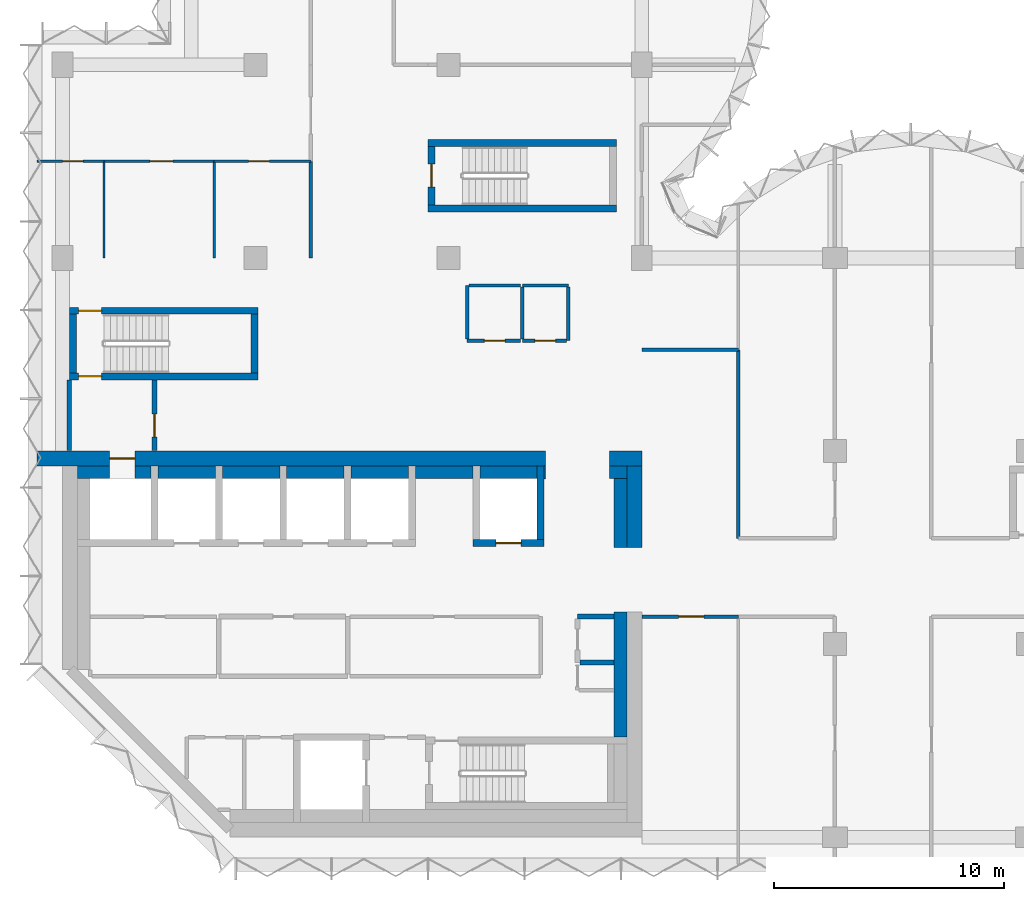
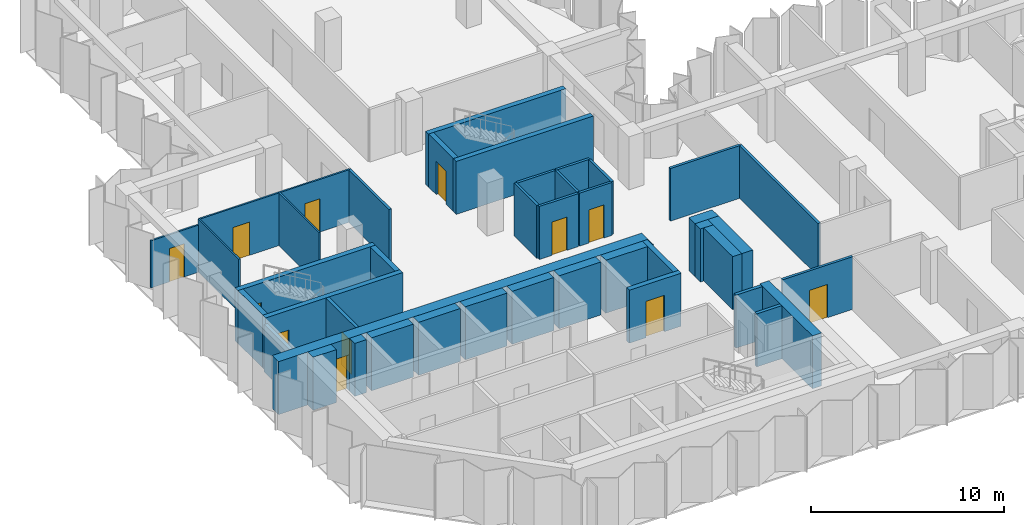
# One storey, part 6 of 10: 44 walls, 12 doors, 12 openings.
"""IFC4 building model written with IfcOpenShell, lengths in metres."""

from ifc_helpers import new_model, si_unit, direction, frame, frame_2d, origin, place, context, subcontext, project, spatial, rectangle, extrude, material, layer, layer_set, type_object, element, fill, save


model = new_model("IFC4")

# Units and contexts
model_context = context("Model", 3, precision=1e-05, world=origin(), true_north=direction((0.0, 1.0)))
body_context = subcontext(model_context, "Body", "Model", "MODEL_VIEW")
ifc_project = project(units=[si_unit("LENGTHUNIT", "METRE"), si_unit("AREAUNIT", "SQUARE_METRE"), si_unit("VOLUMEUNIT", "CUBIC_METRE"), si_unit("PLANEANGLEUNIT", "RADIAN"), si_unit("MASSUNIT", "GRAM", prefix="KILO")], contexts=[model_context])

# Site, building, storey
site_placement = place(None, origin())
site = spatial("IfcSite", under=ifc_project, at=site_placement, CompositionType="ELEMENT")
building_placement = place(site_placement, origin())
building = spatial("IfcBuilding", under=site, at=building_placement, Name="Brevane Broadcast Tower", CompositionType="ELEMENT")
storey_placement = place(building_placement, frame((0.0, 0.0, 174.0)))
storey = spatial("IfcBuildingStorey", under=building, at=storey_placement, Name="L43", CompositionType="ELEMENT", Elevation=174.0)

# Walls
ifc_material_1 = material(Name="Concrete C32/40", Category="concrete")
ifc_layer_1 = layer(ifc_material_1, 0.550048828125)
ifc_layer_set_1 = layer_set([ifc_layer_1], Name="Core chase wall 550 mm")
wall_type_1 = type_object("IfcWallType", Name="Core chase wall 550 mm", PredefinedType="PARTITIONING", material=ifc_layer_set_1)
wall_1_placement = place(storey_placement, frame((24.27490234375, 12.60009765625, 0.0), z_axis=(0.0, 0.0, 1.0), x_axis=(0.0, 1.0, 0.0)))
element("IfcWall", 1, at=wall_1_placement, inside=storey, type_object=wall_type_1, Name="L43 chase wall LE2", PredefinedType="PARTITIONING", context=body_context, shape_type="SweptSolid", body=[
    extrude(rectangle(XDim=3.0, YDim=0.550048828125, at=frame_2d((1.5, 0.0))), origin(), (0.0, 0.0, 1.0), 3.35009765625),
])
wall_2_placement = place(storey_placement, frame((0.64990234375, 15.875, 0.0), z_axis=(0.0, 0.0, 1.0), x_axis=(1.0, 0.0, 0.0)))
element("IfcWall", 2, at=wall_2_placement, inside=storey, type_object=wall_type_1, Name="L43 chase wall LN0", PredefinedType="PARTITIONING", context=body_context, shape_type="SweptSolid", body=[
    extrude(rectangle(XDim=1.400146484375, YDim=0.550048828125, at=frame_2d((0.7001953125, 0.0))), origin(), (0.0, 0.0, 1.0), 3.35009765625),
])
wall_3_placement = place(storey_placement, frame((23.800048828125, 15.875, 0.0), z_axis=(0.0, 0.0, 1.0), x_axis=(1.0, 0.0, 0.0)))
element("IfcWall", 3, at=wall_3_placement, inside=storey, type_object=wall_type_1, Name="L43 chase wall LN2", PredefinedType="PARTITIONING", context=body_context, shape_type="SweptSolid", body=[
    extrude(rectangle(XDim=0.75, YDim=0.550048828125, at=frame_2d((0.375, 0.0))), origin(), (0.0, 0.0, 1.0), 3.35009765625),
])
wall_4_placement = place(storey_placement, frame((3.14990234375, 15.875, 0.0), z_axis=(0.0, 0.0, 1.0), x_axis=(1.0, 0.0, 0.0)))
element("IfcWall", 4, at=wall_4_placement, inside=storey, type_object=wall_type_1, Name="L43 chase wall LN1-1", PredefinedType="PARTITIONING", context=body_context, shape_type="SweptSolid", body=[
    extrude(rectangle(XDim=0.7001953125, YDim=0.550048828125, at=frame_2d((0.35009765625, 0.0))), origin(), (0.0, 0.0, 1.0), 3.35009765625),
])
for number, where, z_axis, x_axis, name in (
    (5, (4.14990234375, 15.875, 0.0), (0.0, 0.0, 1.0), (1.0, 0.0, 0.0), "L43 chase wall LN1-2-1"),
    (6, (6.949951171875, 15.875, 0.0), (0.0, 0.0, 1.0), (1.0, 0.0, 0.0), "L43 chase wall LN1-2-2-1"),
    (7, (9.75, 15.875, 0.0), (0.0, 0.0, 1.0), (1.0, 0.0, 0.0), "L43 chase wall LN1-2-2-2-1"),
    (8, (12.550048828125, 15.875, 0.0), (0.0, 0.0, 1.0), (1.0, 0.0, 0.0), "L43 chase wall LN1-2-2-2-2-1"),
    (9, (15.35009765625, 15.875, 0.0), (0.0, 0.0, 1.0), (1.0, 0.0, 0.0), "L43 chase wall LN1-2-2-2-2-2-1"),
    (10, (18.14990234375, 15.875, 0.0), (0.0, 0.0, 1.0), (1.0, 0.0, 0.0), "L43 chase wall LN1-2-2-2-2-2-2-1"),
):
    element("IfcWall", number, at=place(storey_placement, frame(where, z_axis=z_axis, x_axis=x_axis)), inside=storey, type_object=wall_type_1, Name=name, PredefinedType="PARTITIONING", context=body_context, shape_type="SweptSolid", body=[
        extrude(rectangle(XDim=2.5, YDim=0.550048828125, at=frame_2d((1.25, 0.0))), origin(), (0.0, 0.0, 1.0), 3.35009765625),
    ])
wall_5_placement = place(storey_placement, frame((20.949951171875, 15.875, 0.0), z_axis=(0.0, 0.0, 1.0), x_axis=(1.0, 0.0, 0.0)))
element("IfcWall", 11, at=wall_5_placement, inside=storey, type_object=wall_type_1, Name="L43 chase wall LN1-2-2-2-2-2-2-2", PredefinedType="PARTITIONING", context=body_context, shape_type="SweptSolid", body=[
    extrude(rectangle(XDim=0.050048828125, YDim=0.550048828125, at=frame_2d((0.02490234375, 0.0))), origin(), (0.0, 0.0, 1.0), 3.35009765625),
])
wall_6_placement = place(storey_placement, frame((24.27490234375, 4.35009765625, 0.0), z_axis=(0.0, 0.0, 1.0), x_axis=(0.0, 1.0, 0.0)))
element("IfcWall", 12, at=wall_6_placement, inside=storey, type_object=wall_type_1, Name="L43 chase wall LE1-2-2", PredefinedType="PARTITIONING", context=body_context, shape_type="SweptSolid", body=[
    extrude(rectangle(XDim=5.449951171875, YDim=0.550048828125, at=frame_2d((2.72509765625, 0.0))), origin(), (0.0, 0.0, 1.0), 3.35009765625),
])
ifc_material_2 = material(Name="Gypsum board on steel studs", Category="steel")
ifc_layer_2 = layer(ifc_material_2, 0.14990234375)
ifc_layer_set_2 = layer_set([ifc_layer_2], Name="Core fire partition 150 mm")
wall_type_2 = type_object("IfcWallType", Name="Core fire partition 150 mm", PredefinedType="PARTITIONING", material=ifc_layer_set_2)
wall_7_placement = place(storey_placement, frame((20.0, 24.0, 0.0), z_axis=(0.0, 0.0, 1.0), x_axis=(1.0, 0.0, 0.0)))
element("IfcWall", 13, at=wall_7_placement, inside=storey, type_object=wall_type_2, Name="L43 partition wall P22", PredefinedType="PARTITIONING", context=body_context, shape_type="SweptSolid", body=[
    extrude(rectangle(XDim=2.0, YDim=0.14990234375, at=frame_2d((1.0, 0.0))), origin(), (0.0, 0.0, 1.0), 3.35009765625),
])
wall_8_placement = place(storey_placement, frame((22.0, 23.925048828125, 0.0), z_axis=(0.0, 0.0, 1.0), x_axis=(0.0, -1.0, 0.0)))
element("IfcWall", 14, at=wall_8_placement, inside=storey, type_object=wall_type_2, Name="L43 partition wall P23", PredefinedType="PARTITIONING", context=body_context, shape_type="SweptSolid", body=[
    extrude(rectangle(XDim=2.324951171875, YDim=0.14990234375, at=frame_2d((1.16259765625, 0.0))), origin(), (0.0, 0.0, 1.0), 3.35009765625),
])

# Wall, opening, door
wall_9_placement = place(storey_placement, frame((21.925048828125, 21.60009765625, 0.0), z_axis=(0.0, 0.0, 1.0), x_axis=(-1.0, 0.0, 0.0)))
wall_9 = element("IfcWall", 15, at=wall_9_placement, inside=storey, type_object=wall_type_2, Name="L43 partition wall P24", PredefinedType="PARTITIONING", context=body_context, shape_type="SweptSolid", body=[
    extrude(rectangle(XDim=1.925048828125, YDim=0.14990234375, at=frame_2d((0.96240234375, 0.0))), origin(), (0.0, 0.0, 1.0), 3.35009765625),
])
opening_1_placement = place(wall_9_placement, frame((0.47509765625, 0.0, 0.0)))
opening_1 = element("IfcOpeningElement", 16, at=opening_1_placement, cuts=wall_9, Name="Opening L43-K23", PredefinedType="OPENING", context=body_context, shape_type="SweptSolid", body=[
    extrude(rectangle(XDim=0.89990234375, YDim=2.10009765625, at=frame_2d((0.449951171875, 1.050048828125))), frame((0.0, 0.0849609375, 0.0), z_axis=(0.0, -1.0, 0.0), x_axis=(1.0, 0.0, 0.0)), (0.0, 0.0, 1.0), 0.169921875),
])
ifc_material_3 = material(Name="Timber", Category="wood")
door_type_1 = type_object("IfcDoorType", Name="Toilet door 900 x 2100", OperationType="SINGLE_SWING_LEFT", PredefinedType="DOOR", material=ifc_material_3)
door_1_placement = place(opening_1_placement, origin())
door_1 = element("IfcDoor", 17, at=door_1_placement, inside=storey, type_object=door_type_1, Name="Door L43-K23", OperationType="SINGLE_SWING_LEFT", OverallHeight=2.10009765625, OverallWidth=0.89990234375, PredefinedType="DOOR", context=body_context, shape_type="SweptSolid", body=[
    extrude(rectangle(XDim=0.89990234375, YDim=2.10009765625, at=frame_2d((0.449951171875, 1.050048828125))), frame((0.0, 0.02490234375, 0.0), z_axis=(0.0, -1.0, 0.0), x_axis=(1.0, 0.0, 0.0)), (0.0, 0.0, 1.0), 0.050048828125),
])
fill(opening_1, door_1)

# Wall
wall_10_placement = place(storey_placement, frame((20.0, 21.675048828125, 0.0), z_axis=(0.0, 0.0, 1.0), x_axis=(0.0, 1.0, 0.0)))
element("IfcWall", 18, at=wall_10_placement, inside=storey, type_object=wall_type_2, Name="L43 partition wall P25", PredefinedType="PARTITIONING", context=body_context, shape_type="SweptSolid", body=[
    extrude(rectangle(XDim=2.25, YDim=0.14990234375, at=frame_2d((1.125, 0.0))), origin(), (0.0, 0.0, 1.0), 3.35009765625),
])

# Wall, opening, door
wall_11_placement = place(storey_placement, frame((19.925048828125, 21.60009765625, 0.0), z_axis=(0.0, 0.0, 1.0), x_axis=(-1.0, 0.0, 0.0)))
wall_11 = element("IfcWall", 19, at=wall_11_placement, inside=storey, type_object=wall_type_2, Name="L43 partition wall P26", PredefinedType="PARTITIONING", context=body_context, shape_type="SweptSolid", body=[
    extrude(rectangle(XDim=2.324951171875, YDim=0.14990234375, at=frame_2d((1.16259765625, 0.0))), origin(), (0.0, 0.0, 1.0), 3.35009765625),
])
opening_2_placement = place(wall_11_placement, frame((0.675048828125, 0.0, 0.0)))
opening_2 = element("IfcOpeningElement", 20, at=opening_2_placement, cuts=wall_11, Name="Opening L43-K24", PredefinedType="OPENING", context=body_context, shape_type="SweptSolid", body=[
    extrude(rectangle(XDim=0.89990234375, YDim=2.10009765625, at=frame_2d((0.449951171875, 1.050048828125))), frame((0.0, 0.0849609375, 0.0), z_axis=(0.0, -1.0, 0.0), x_axis=(1.0, 0.0, 0.0)), (0.0, 0.0, 1.0), 0.169921875),
])
ifc_material_4 = material(Name="Steel", Category="steel")
door_type_2 = type_object("IfcDoorType", Name="Service room door 900 x 2100", OperationType="SINGLE_SWING_LEFT", PredefinedType="DOOR", material=ifc_material_4)
door_2_placement = place(opening_2_placement, origin())
door_2 = element("IfcDoor", 21, at=door_2_placement, inside=storey, type_object=door_type_2, Name="Door L43-K24", OperationType="SINGLE_SWING_RIGHT", OverallHeight=2.10009765625, OverallWidth=0.89990234375, PredefinedType="DOOR", context=body_context, shape_type="SweptSolid", body=[
    extrude(rectangle(XDim=0.89990234375, YDim=2.10009765625, at=frame_2d((0.449951171875, 1.050048828125))), frame((0.0, 0.02490234375, 0.0), z_axis=(0.0, -1.0, 0.0), x_axis=(1.0, 0.0, 0.0)), (0.0, 0.0, 1.0), 0.050048828125),
])
fill(opening_2, door_2)

# Walls
wall_12_placement = place(storey_placement, frame((17.60009765625, 21.675048828125, 0.0), z_axis=(0.0, 0.0, 1.0), x_axis=(0.0, 1.0, 0.0)))
element("IfcWall", 22, at=wall_12_placement, inside=storey, type_object=wall_type_2, Name="L43 partition wall P27", PredefinedType="PARTITIONING", context=body_context, shape_type="SweptSolid", body=[
    extrude(rectangle(XDim=2.324951171875, YDim=0.14990234375, at=frame_2d((1.16259765625, 0.0))), origin(), (0.0, 0.0, 1.0), 3.35009765625),
])
wall_13_placement = place(storey_placement, frame((17.675048828125, 24.0, 0.0), z_axis=(0.0, 0.0, 1.0), x_axis=(1.0, 0.0, 0.0)))
element("IfcWall", 23, at=wall_13_placement, inside=storey, type_object=wall_type_2, Name="L43 partition wall P28", PredefinedType="PARTITIONING", context=body_context, shape_type="SweptSolid", body=[
    extrude(rectangle(XDim=2.25, YDim=0.14990234375, at=frame_2d((1.125, 0.0))), origin(), (0.0, 0.0, 1.0), 3.35009765625),
])
ifc_layer_3 = layer(ifc_material_2, 0.199951171875)
ifc_layer_set_3 = layer_set([ifc_layer_3], Name="Core fire partition 200 mm")
wall_type_3 = type_object("IfcWallType", Name="Core fire partition 200 mm", PredefinedType="PARTITIONING", material=ifc_layer_set_3)
wall_14_placement = place(storey_placement, frame((0.300048828125, 16.81201171875, 0.0), z_axis=(0.0, 0.0, 1.0), x_axis=(0.0, 1.0, 0.0)))
element("IfcWall", 24, at=wall_14_placement, inside=storey, type_object=wall_type_3, Name="L43 partition wall P01", PredefinedType="PARTITIONING", context=body_context, shape_type="SweptSolid", body=[
    extrude(rectangle(XDim=3.075927734375, YDim=0.199951171875, at=frame_2d((1.5380859375, 0.0))), origin(), (0.0, 0.0, 1.0), 2.97998046875),
])

# Wall, opening, door
wall_15_placement = place(storey_placement, frame((4.0, 19.887939453125, 0.0), z_axis=(0.0, 0.0, 1.0), x_axis=(0.0, -1.0, 0.0)))
wall_15 = element("IfcWall", 25, at=wall_15_placement, inside=storey, type_object=wall_type_3, Name="L43 partition wall P02", PredefinedType="PARTITIONING", context=body_context, shape_type="SweptSolid", body=[
    extrude(rectangle(XDim=3.075927734375, YDim=0.199951171875, at=frame_2d((1.5380859375, 0.0))), origin(), (0.0, 0.0, 1.0), 3.35009765625),
])
opening_3_placement = place(wall_15_placement, frame((1.488037109375, 0.0, 0.0)))
opening_3 = element("IfcOpeningElement", 26, at=opening_3_placement, cuts=wall_15, Name="Opening L43-K22", PredefinedType="OPENING", context=body_context, shape_type="SweptSolid", body=[
    extrude(rectangle(XDim=1.0, YDim=2.10009765625, at=frame_2d((0.5, 1.050048828125))), frame((0.0, 0.10986328125, 0.0), z_axis=(0.0, -1.0, 0.0), x_axis=(1.0, 0.0, 0.0)), (0.0, 0.0, 1.0), 0.219970703125),
])
door_type_3 = type_object("IfcDoorType", Name="Stair door 1000 x 2100", OperationType="SINGLE_SWING_LEFT", PredefinedType="DOOR", material=ifc_material_4)
door_3_placement = place(opening_3_placement, origin())
door_3 = element("IfcDoor", 27, at=door_3_placement, inside=storey, type_object=door_type_3, Name="Door L43-K22", OperationType="SINGLE_SWING_RIGHT", OverallHeight=2.10009765625, OverallWidth=1.0, PredefinedType="DOOR", context=body_context, shape_type="SweptSolid", body=[
    extrude(rectangle(XDim=1.0, YDim=2.10009765625, at=frame_2d((0.5, 1.050048828125))), frame((0.0, 0.02490234375, 0.0), z_axis=(0.0, -1.0, 0.0), x_axis=(1.0, 0.0, 0.0)), (0.0, 0.0, 1.0), 0.050048828125),
])
fill(opening_3, door_3)

# Walls
wall_16_placement = place(storey_placement, frame((23.988037109375, 9.60009765625, 0.0), z_axis=(0.0, 0.0, 1.0), x_axis=(-1.0, 0.0, 0.0)))
element("IfcWall", 28, at=wall_16_placement, inside=storey, type_object=wall_type_3, Name="L43 partition wall P04", PredefinedType="PARTITIONING", context=body_context, shape_type="SweptSolid", body=[
    extrude(rectangle(XDim=1.588134765625, YDim=0.199951171875, at=frame_2d((0.7939453125, 0.0))), origin(), (0.0, 0.0, 1.0), 3.35009765625),
])
wall_17_placement = place(storey_placement, frame((22.5, 7.60009765625, 0.0), z_axis=(0.0, 0.0, 1.0), x_axis=(1.0, 0.0, 0.0)))
element("IfcWall", 29, at=wall_17_placement, inside=storey, type_object=wall_type_3, Name="L43 partition wall P06", PredefinedType="PARTITIONING", context=body_context, shape_type="SweptSolid", body=[
    extrude(rectangle(XDim=1.488037109375, YDim=0.199951171875, at=frame_2d((0.744140625, 0.0))), origin(), (0.0, 0.0, 1.0), 3.35009765625),
])

# Wall, opening, door
ifc_material_5 = material(Name="Concrete C60/75", Category="concrete")
ifc_layer_4 = layer(ifc_material_5, 0.300048828125)
ifc_layer_set_4 = layer_set([ifc_layer_4], Name="Core wall 300 mm C60/75")
wall_type_4 = type_object("IfcWallType", Name="Core wall 300 mm C60/75", PredefinedType="SHEAR", material=ifc_layer_set_4)
wall_18_placement = place(storey_placement, frame((17.85009765625, 12.800048828125, 0.0), z_axis=(0.0, 0.0, 1.0), x_axis=(1.0, 0.0, 0.0)))
wall_18 = element("IfcWall", 30, at=wall_18_placement, inside=storey, type_object=wall_type_4, Name="L43 shaft wall SH-N180-front", PredefinedType="SHEAR", context=body_context, shape_type="SweptSolid", body=[
    extrude(rectangle(XDim=3.099853515625, YDim=0.300048828125, at=frame_2d((1.5498046875, 0.0))), origin(), (0.0, 0.0, 1.0), 3.35009765625),
])
opening_4_placement = place(wall_18_placement, frame((1.0, 0.0, 0.0)))
opening_4 = element("IfcOpeningElement", 31, at=opening_4_placement, cuts=wall_18, Name="Opening LD", PredefinedType="OPENING", context=body_context, shape_type="SweptSolid", body=[
    extrude(rectangle(XDim=1.10009765625, YDim=2.300048828125, at=frame_2d((0.550048828125, 1.14990234375))), frame((0.0, 0.159912109375, 0.0), z_axis=(0.0, -1.0, 0.0), x_axis=(1.0, 0.0, 0.0)), (0.0, 0.0, 1.0), 0.320068359375),
])
ifc_material_6 = material(Name="Stainless steel", Category="steel")
door_type_4 = type_object("IfcDoorType", Name="Lift landing door", OperationType="SLIDING_TO_LEFT", PredefinedType="DOOR", material=ifc_material_6)
door_4_placement = place(opening_4_placement, origin())
door_4 = element("IfcDoor", 32, at=door_4_placement, inside=storey, type_object=door_type_4, Name="Landing door SL1 L43", OperationType="SLIDING_TO_LEFT", OverallHeight=2.300048828125, OverallWidth=1.10009765625, PredefinedType="DOOR", context=body_context, shape_type="SweptSolid", body=[
    extrude(rectangle(XDim=1.10009765625, YDim=2.300048828125, at=frame_2d((0.550048828125, 1.14990234375))), frame((0.0, 0.02490234375, 0.0), z_axis=(0.0, -1.0, 0.0), x_axis=(1.0, 0.0, 0.0)), (0.0, 0.0, 1.0), 0.050048828125),
])
fill(opening_4, door_4)

# Wall
wall_19_placement = place(storey_placement, frame((20.800048828125, 12.949951171875, 0.0), z_axis=(0.0, 0.0, 1.0), x_axis=(0.0, 1.0, 0.0)))
element("IfcWall", 33, at=wall_19_placement, inside=storey, type_object=wall_type_4, Name="L43 shaft wall SH-N-P208", PredefinedType="SHEAR", context=body_context, shape_type="SweptSolid", body=[
    extrude(rectangle(XDim=3.199951171875, YDim=0.300048828125, at=frame_2d((1.60009765625, 0.0))), origin(), (0.0, 0.0, 1.0), 3.35009765625),
])

# Wall, opening, door
wall_20_placement = place(storey_placement, frame((8.5, 20.050048828125, 0.0), z_axis=(0.0, 0.0, 1.0), x_axis=(-1.0, 0.0, 0.0)))
wall_20 = element("IfcWall", 34, at=wall_20_placement, inside=storey, type_object=wall_type_4, Name="L43 stair wall ST-1-S", PredefinedType="SHEAR", context=body_context, shape_type="SweptSolid", body=[
    extrude(rectangle(XDim=8.199951171875, YDim=0.300048828125, at=frame_2d((4.10009765625, 0.0))), origin(), (0.0, 0.0, 1.0), 3.35009765625),
])
opening_5_placement = place(wall_20_placement, frame((6.800048828125, 0.0, 0.0)))
opening_5 = element("IfcOpeningElement", 35, at=opening_5_placement, cuts=wall_20, Name="Opening L43-K08", PredefinedType="OPENING", context=body_context, shape_type="SweptSolid", body=[
    extrude(rectangle(XDim=1.0, YDim=2.10009765625, at=frame_2d((0.5, 1.050048828125))), frame((0.0, 0.159912109375, 0.0), z_axis=(0.0, -1.0, 0.0), x_axis=(1.0, 0.0, 0.0)), (0.0, 0.0, 1.0), 0.320068359375),
])
door_5_placement = place(opening_5_placement, origin())
door_5 = element("IfcDoor", 36, at=door_5_placement, inside=storey, type_object=door_type_3, Name="Door L43-K08", OperationType="SINGLE_SWING_RIGHT", OverallHeight=2.10009765625, OverallWidth=1.0, PredefinedType="DOOR", context=body_context, shape_type="SweptSolid", body=[
    extrude(rectangle(XDim=1.0, YDim=2.10009765625, at=frame_2d((0.5, 1.050048828125))), frame((0.0, 0.02490234375, 0.0), z_axis=(0.0, -1.0, 0.0), x_axis=(1.0, 0.0, 0.0)), (0.0, 0.0, 1.0), 0.050048828125),
])
fill(opening_5, door_5)

wall_21_placement = place(storey_placement, frame((0.300048828125, 22.89990234375, 0.0), z_axis=(0.0, 0.0, 1.0), x_axis=(1.0, 0.0, 0.0)))
wall_21 = element("IfcWall", 37, at=wall_21_placement, inside=storey, type_object=wall_type_4, Name="L43 stair wall ST-1-N", PredefinedType="SHEAR", context=body_context, shape_type="SweptSolid", body=[
    extrude(rectangle(XDim=8.199951171875, YDim=0.300048828125, at=frame_2d((4.10009765625, 0.0))), origin(), (0.0, 0.0, 1.0), 3.35009765625),
])
opening_6_placement = place(wall_21_placement, frame((0.39990234375, 0.0, 0.0)))
opening_6 = element("IfcOpeningElement", 38, at=opening_6_placement, cuts=wall_21, Name="Opening L43-K09", PredefinedType="OPENING", context=body_context, shape_type="SweptSolid", body=[
    extrude(rectangle(XDim=1.0, YDim=2.10009765625, at=frame_2d((0.5, 1.050048828125))), frame((0.0, 0.159912109375, 0.0), z_axis=(0.0, -1.0, 0.0), x_axis=(1.0, 0.0, 0.0)), (0.0, 0.0, 1.0), 0.320068359375),
])
door_6_placement = place(opening_6_placement, origin())
door_6 = element("IfcDoor", 39, at=door_6_placement, inside=storey, type_object=door_type_3, Name="Door L43-K09", OperationType="SINGLE_SWING_LEFT", OverallHeight=2.10009765625, OverallWidth=1.0, PredefinedType="DOOR", context=body_context, shape_type="SweptSolid", body=[
    extrude(rectangle(XDim=1.0, YDim=2.10009765625, at=frame_2d((0.5, 1.050048828125))), frame((0.0, 0.02490234375, 0.0), z_axis=(0.0, -1.0, 0.0), x_axis=(1.0, 0.0, 0.0)), (0.0, 0.0, 1.0), 0.050048828125),
])
fill(opening_6, door_6)

# Walls
for number, where, z_axis, x_axis, name in (
    (40, (0.449951171875, 20.199951171875, 0.0), (0.0, 0.0, 1.0), (0.0, 1.0, 0.0), "L43 stair wall ST-1-W"),
    (41, (8.35009765625, 20.199951171875, 0.0), (0.0, 0.0, 1.0), (0.0, 1.0, 0.0), "L43 stair wall ST-1-E"),
):
    element("IfcWall", number, at=place(storey_placement, frame(where, z_axis=z_axis, x_axis=x_axis)), inside=storey, type_object=wall_type_4, Name=name, PredefinedType="SHEAR", context=body_context, shape_type="SweptSolid", body=[
        extrude(rectangle(XDim=2.550048828125, YDim=0.300048828125, at=frame_2d((1.27490234375, 0.0))), origin(), (0.0, 0.0, 1.0), 3.35009765625),
    ])
for number, where, z_axis, x_axis, name in (
    (42, (15.89990234375, 27.35009765625, 0.0), (0.0, 0.0, 1.0), (1.0, 0.0, 0.0), "L43 stair wall ST-3-S"),
    (43, (15.89990234375, 30.199951171875, 0.0), (0.0, 0.0, 1.0), (1.0, 0.0, 0.0), "L43 stair wall ST-3-N"),
):
    element("IfcWall", number, at=place(storey_placement, frame(where, z_axis=z_axis, x_axis=x_axis)), inside=storey, type_object=wall_type_4, Name=name, PredefinedType="SHEAR", context=body_context, shape_type="SweptSolid", body=[
        extrude(rectangle(XDim=8.2001953125, YDim=0.300048828125, at=frame_2d((4.10009765625, 0.0))), origin(), (0.0, 0.0, 1.0), 3.35009765625),
    ])

# Wall, opening, door
wall_22_placement = place(storey_placement, frame((16.050048828125, 27.5, 0.0), z_axis=(0.0, 0.0, 1.0), x_axis=(0.0, 1.0, 0.0)))
wall_22 = element("IfcWall", 44, at=wall_22_placement, inside=storey, type_object=wall_type_4, Name="L43 stair wall ST-3-W", PredefinedType="SHEAR", context=body_context, shape_type="SweptSolid", body=[
    extrude(rectangle(XDim=2.550048828125, YDim=0.300048828125, at=frame_2d((1.27490234375, 0.0))), origin(), (0.0, 0.0, 1.0), 3.35009765625),
])
opening_7_placement = place(wall_22_placement, frame((0.77490234375, 0.0, 0.0)))
opening_7 = element("IfcOpeningElement", 45, at=opening_7_placement, cuts=wall_22, Name="Opening L43-K12", PredefinedType="OPENING", context=body_context, shape_type="SweptSolid", body=[
    extrude(rectangle(XDim=1.0, YDim=2.10009765625, at=frame_2d((0.5, 1.050048828125))), frame((0.0, 0.159912109375, 0.0), z_axis=(0.0, -1.0, 0.0), x_axis=(1.0, 0.0, 0.0)), (0.0, 0.0, 1.0), 0.320068359375),
])
door_7_placement = place(opening_7_placement, origin())
door_7 = element("IfcDoor", 46, at=door_7_placement, inside=storey, type_object=door_type_3, Name="Door L43-K12", OperationType="SINGLE_SWING_RIGHT", OverallHeight=2.10009765625, OverallWidth=1.0, PredefinedType="DOOR", context=body_context, shape_type="SweptSolid", body=[
    extrude(rectangle(XDim=1.0, YDim=2.10009765625, at=frame_2d((0.5, 1.050048828125))), frame((0.0, 0.02490234375, 0.0), z_axis=(0.0, -1.0, 0.0), x_axis=(1.0, 0.0, 0.0)), (0.0, 0.0, 1.0), 0.050048828125),
])
fill(opening_7, door_7)

ifc_layer_5 = layer(ifc_material_5, 0.64990234375)
ifc_layer_set_5 = layer_set([ifc_layer_5], Name="Core wall 650 mm C60/75")
wall_type_5 = type_object("IfcWallType", Name="Core wall 650 mm C60/75", PredefinedType="SHEAR", material=ifc_layer_set_5)
wall_23_placement = place(storey_placement, frame((-1.10009765625, 16.47509765625, 0.0), z_axis=(0.0, 0.0, 1.0), x_axis=(1.0, 0.0, 0.0)))
wall_23 = element("IfcWall", 47, at=wall_23_placement, inside=storey, type_object=wall_type_5, Name="L43 outer wall WN1", PredefinedType="SHEAR", context=body_context, shape_type="SweptSolid", body=[
    extrude(rectangle(XDim=22.10009765625, YDim=0.64990234375, at=frame_2d((11.050048828125, 0.0))), origin(), (0.0, 0.0, 1.0), 3.35009765625),
])
opening_8_placement = place(wall_23_placement, frame((3.14990234375, 0.0, 0.0)))
opening_8 = element("IfcOpeningElement", 48, at=opening_8_placement, cuts=wall_23, Name="Opening LD", PredefinedType="OPENING", context=body_context, shape_type="SweptSolid", body=[
    extrude(rectangle(XDim=1.10009765625, YDim=2.300048828125, at=frame_2d((0.550048828125, 1.14990234375))), frame((0.0, 0.3349609375, 0.0), z_axis=(0.0, -1.0, 0.0), x_axis=(1.0, 0.0, 0.0)), (0.0, 0.0, 1.0), 0.669921875),
])
door_8_placement = place(opening_8_placement, origin())
door_8 = element("IfcDoor", 49, at=door_8_placement, inside=storey, type_object=door_type_4, Name="Landing door FF1 L43", OperationType="SLIDING_TO_LEFT", OverallHeight=2.300048828125, OverallWidth=1.10009765625, PredefinedType="DOOR", context=body_context, shape_type="SweptSolid", body=[
    extrude(rectangle(XDim=1.10009765625, YDim=2.300048828125, at=frame_2d((0.550048828125, 1.14990234375))), frame((0.0, 0.02490234375, 0.0), z_axis=(0.0, -1.0, 0.0), x_axis=(1.0, 0.0, 0.0)), (0.0, 0.0, 1.0), 0.050048828125),
])
fill(opening_8, door_8)

# Walls
wall_24_placement = place(storey_placement, frame((23.800048828125, 16.47509765625, 0.0), z_axis=(0.0, 0.0, 1.0), x_axis=(1.0, 0.0, 0.0)))
element("IfcWall", 50, at=wall_24_placement, inside=storey, type_object=wall_type_5, Name="L43 outer wall WN2", PredefinedType="SHEAR", context=body_context, shape_type="SweptSolid", body=[
    extrude(rectangle(XDim=1.39990234375, YDim=0.64990234375, at=frame_2d((0.699951171875, 0.0))), origin(), (0.0, 0.0, 1.0), 3.35009765625),
])
wall_25_placement = place(storey_placement, frame((24.875, 12.60009765625, 0.0), z_axis=(0.0, 0.0, 1.0), x_axis=(0.0, 1.0, 0.0)))
element("IfcWall", 51, at=wall_25_placement, inside=storey, type_object=wall_type_5, Name="L43 outer wall WE2", PredefinedType="SHEAR", context=body_context, shape_type="SweptSolid", body=[
    extrude(rectangle(XDim=3.5498046875, YDim=0.64990234375, at=frame_2d((1.77490234375, 0.0))), origin(), (0.0, 0.0, 1.0), 3.35009765625),
])

# Wall, opening, door
ifc_material_7 = material(Name="Gypsum board partition")
ifc_layer_6 = layer(ifc_material_7, 0.10009765625)
ifc_layer_set_6 = layer_set([ifc_layer_6], Name="PARTITION 100 STUD")
wall_type_6 = type_object("IfcWallType", Name="PARTITION 100 STUD", PredefinedType="PARTITIONING", material=ifc_layer_set_6)
wall_26_placement = place(storey_placement, frame((1.800048828125, 29.39990234375, 0.0), z_axis=(0.0, 0.0, 1.0), x_axis=(-1.0, 0.0, 0.0)))
wall_26 = element("IfcWall", 52, at=wall_26_placement, inside=storey, type_object=wall_type_6, Name="Partition G12-048", PredefinedType="PARTITIONING", context=body_context, shape_type="SweptSolid", body=[
    extrude(rectangle(XDim=2.900146484375, YDim=0.10009765625, at=frame_2d((1.4501953125, 0.0))), origin(), (0.0, 0.0, 1.0), 2.97998046875),
])
opening_9_placement = place(wall_26_placement, frame((0.89990234375, 0.0, 0.0)))
opening_9 = element("IfcOpeningElement", 53, at=opening_9_placement, cuts=wall_26, Name="Opening D21-014", PredefinedType="OPENING", context=body_context, shape_type="SweptSolid", body=[
    extrude(rectangle(XDim=0.89990234375, YDim=2.10009765625, at=frame_2d((0.449951171875, 1.050048828125))), frame((0.0, 0.06005859375, 0.0), z_axis=(0.0, -1.0, 0.0), x_axis=(1.0, 0.0, 0.0)), (0.0, 0.0, 1.0), 0.1201171875),
])
ifc_material_8 = material(Name="Timber door leaf", Category="wood")
door_type_5 = type_object("IfcDoorType", Name="DOOR SINGLE 900 INTERNAL", OperationType="SINGLE_SWING_LEFT", PredefinedType="DOOR", material=ifc_material_8)
door_9_placement = place(opening_9_placement, origin())
door_9 = element("IfcDoor", 54, at=door_9_placement, inside=storey, type_object=door_type_5, Name="Door D21-014", OperationType="SINGLE_SWING_LEFT", OverallHeight=2.10009765625, OverallWidth=0.89990234375, PredefinedType="DOOR", context=body_context, shape_type="SweptSolid", body=[
    extrude(rectangle(XDim=0.89990234375, YDim=2.10009765625, at=frame_2d((0.449951171875, 1.050048828125))), frame((0.0, 0.02490234375, 0.0), z_axis=(0.0, -1.0, 0.0), x_axis=(1.0, 0.0, 0.0)), (0.0, 0.0, 1.0), 0.050048828125),
])
fill(opening_9, door_9)

wall_27_placement = place(storey_placement, frame((6.60009765625, 29.39990234375, 0.0), z_axis=(0.0, 0.0, 1.0), x_axis=(-1.0, 0.0, 0.0)))
wall_27 = element("IfcWall", 55, at=wall_27_placement, inside=storey, type_object=wall_type_6, Name="Partition G12-049", PredefinedType="PARTITIONING", context=body_context, shape_type="SweptSolid", body=[
    extrude(rectangle(XDim=4.800048828125, YDim=0.10009765625, at=frame_2d((2.39990234375, 0.0))), origin(), (0.0, 0.0, 1.0), 3.330078125),
])
opening_10_placement = place(wall_27_placement, frame((1.800048828125, 0.0, 0.0)))
opening_10 = element("IfcOpeningElement", 56, at=opening_10_placement, cuts=wall_27, Name="Opening D21-015", PredefinedType="OPENING", context=body_context, shape_type="SweptSolid", body=[
    extrude(rectangle(XDim=1.0, YDim=2.10009765625, at=frame_2d((0.5, 1.050048828125))), frame((0.0, 0.06005859375, 0.0), z_axis=(0.0, -1.0, 0.0), x_axis=(1.0, 0.0, 0.0)), (0.0, 0.0, 1.0), 0.1201171875),
])
door_type_6 = type_object("IfcDoorType", Name="DOOR SINGLE 1000 INTERNAL", OperationType="SINGLE_SWING_LEFT", PredefinedType="DOOR", material=ifc_material_8)
door_10_placement = place(opening_10_placement, origin())
door_10 = element("IfcDoor", 57, at=door_10_placement, inside=storey, type_object=door_type_6, Name="Door D21-015", OperationType="SINGLE_SWING_LEFT", OverallHeight=2.10009765625, OverallWidth=1.0, PredefinedType="DOOR", context=body_context, shape_type="SweptSolid", body=[
    extrude(rectangle(XDim=1.0, YDim=2.10009765625, at=frame_2d((0.5, 1.050048828125))), frame((0.0, 0.02490234375, 0.0), z_axis=(0.0, -1.0, 0.0), x_axis=(1.0, 0.0, 0.0)), (0.0, 0.0, 1.0), 0.050048828125),
])
fill(opening_10, door_10)

wall_28_placement = place(storey_placement, frame((10.800048828125, 29.39990234375, 0.0), z_axis=(0.0, 0.0, 1.0), x_axis=(-1.0, 0.0, 0.0)))
wall_28 = element("IfcWall", 58, at=wall_28_placement, inside=storey, type_object=wall_type_6, Name="Partition G12-050", PredefinedType="PARTITIONING", context=body_context, shape_type="SweptSolid", body=[
    extrude(rectangle(XDim=4.199951171875, YDim=0.10009765625, at=frame_2d((2.10009765625, 0.0))), origin(), (0.0, 0.0, 1.0), 3.330078125),
])
opening_11_placement = place(wall_28_placement, frame((1.800048828125, 0.0, 0.0)))
opening_11 = element("IfcOpeningElement", 59, at=opening_11_placement, cuts=wall_28, Name="Opening D21-016", PredefinedType="OPENING", context=body_context, shape_type="SweptSolid", body=[
    extrude(rectangle(XDim=0.89990234375, YDim=2.10009765625, at=frame_2d((0.449951171875, 1.050048828125))), frame((0.0, 0.06005859375, 0.0), z_axis=(0.0, -1.0, 0.0), x_axis=(1.0, 0.0, 0.0)), (0.0, 0.0, 1.0), 0.1201171875),
])
door_11_placement = place(opening_11_placement, origin())
door_11 = element("IfcDoor", 60, at=door_11_placement, inside=storey, type_object=door_type_5, Name="Door D21-016", OperationType="SINGLE_SWING_LEFT", OverallHeight=2.10009765625, OverallWidth=0.89990234375, PredefinedType="DOOR", context=body_context, shape_type="SweptSolid", body=[
    extrude(rectangle(XDim=0.89990234375, YDim=2.10009765625, at=frame_2d((0.449951171875, 1.050048828125))), frame((0.0, 0.02490234375, 0.0), z_axis=(0.0, -1.0, 0.0), x_axis=(1.0, 0.0, 0.0)), (0.0, 0.0, 1.0), 0.050048828125),
])
fill(opening_11, door_11)

# Walls
for number, where, z_axis, x_axis, name in (
    (61, (1.800048828125, 29.39990234375, 0.0), (0.0, 0.0, 1.0), (0.0, -1.0, 0.0), "Partition G12-052"),
    (62, (6.60009765625, 29.39990234375, 0.0), (0.0, 0.0, 1.0), (0.0, -1.0, 0.0), "Partition G12-053"),
):
    element("IfcWall", number, at=place(storey_placement, frame(where, z_axis=z_axis, x_axis=x_axis)), inside=storey, type_object=wall_type_6, Name=name, PredefinedType="PARTITIONING", context=body_context, shape_type="SweptSolid", body=[
        extrude(rectangle(XDim=4.199951171875, YDim=0.10009765625, at=frame_2d((2.10009765625, 0.0))), origin(), (0.0, 0.0, 1.0), 3.330078125),
    ])
ifc_layer_7 = layer(ifc_material_7, 0.14990234375)
ifc_layer_set_7 = layer_set([ifc_layer_7], Name="PARTITION 150 EI 60")
wall_type_7 = type_object("IfcWallType", Name="PARTITION 150 EI 60", PredefinedType="PARTITIONING", material=ifc_layer_set_7)
wall_29_placement = place(storey_placement, frame((25.199951171875, 21.199951171875, 0.0), z_axis=(0.0, 0.0, 1.0), x_axis=(1.0, 0.0, 0.0)))
element("IfcWall", 63, at=wall_29_placement, inside=storey, type_object=wall_type_7, Name="Partition G12-001", PredefinedType="PARTITIONING", context=body_context, shape_type="SweptSolid", body=[
    extrude(rectangle(XDim=4.199951171875, YDim=0.14990234375, at=frame_2d((2.10009765625, 0.0))), origin(), (0.0, 0.0, 1.0), 3.330078125),
])

# Wall, opening, door
wall_30_placement = place(storey_placement, frame((29.39990234375, 9.60009765625, 0.0), z_axis=(0.0, 0.0, 1.0), x_axis=(-1.0, 0.0, 0.0)))
wall_30 = element("IfcWall", 64, at=wall_30_placement, inside=storey, type_object=wall_type_7, Name="Partition G12-002", PredefinedType="PARTITIONING", context=body_context, shape_type="SweptSolid", body=[
    extrude(rectangle(XDim=4.199951171875, YDim=0.14990234375, at=frame_2d((2.10009765625, 0.0))), origin(), (0.0, 0.0, 1.0), 3.330078125),
])
opening_12_placement = place(wall_30_placement, frame((1.5, 0.0, 0.0)))
opening_12 = element("IfcOpeningElement", 65, at=opening_12_placement, cuts=wall_30, Name="Opening D21-003", PredefinedType="OPENING", context=body_context, shape_type="SweptSolid", body=[
    extrude(rectangle(XDim=1.10009765625, YDim=2.10009765625, at=frame_2d((0.550048828125, 1.050048828125))), frame((0.0, 0.0849609375, 0.0), z_axis=(0.0, -1.0, 0.0), x_axis=(1.0, 0.0, 0.0)), (0.0, 0.0, 1.0), 0.169921875),
])
ifc_material_9 = material(Name="Fire-rated timber door leaf", Category="wood")
door_type_7 = type_object("IfcDoorType", Name="DOOR SINGLE 1100 FD30S", OperationType="SINGLE_SWING_LEFT", PredefinedType="DOOR", material=ifc_material_9)
door_12_placement = place(opening_12_placement, origin())
door_12 = element("IfcDoor", 66, at=door_12_placement, inside=storey, type_object=door_type_7, Name="Door D21-003", OperationType="SINGLE_SWING_LEFT", OverallHeight=2.10009765625, OverallWidth=1.10009765625, PredefinedType="DOOR", context=body_context, shape_type="SweptSolid", body=[
    extrude(rectangle(XDim=1.10009765625, YDim=2.10009765625, at=frame_2d((0.550048828125, 1.050048828125))), frame((0.0, 0.02490234375, 0.0), z_axis=(0.0, -1.0, 0.0), x_axis=(1.0, 0.0, 0.0)), (0.0, 0.0, 1.0), 0.050048828125),
])
fill(opening_12, door_12)

# Walls
wall_31_placement = place(storey_placement, frame((29.39990234375, 21.199951171875, 0.0), z_axis=(0.0, 0.0, 1.0), x_axis=(0.0, -1.0, 0.0)))
element("IfcWall", 67, at=wall_31_placement, inside=storey, type_object=wall_type_7, Name="Partition G12-003", PredefinedType="PARTITIONING", context=body_context, shape_type="SweptSolid", body=[
    extrude(rectangle(XDim=8.199951171875, YDim=0.14990234375, at=frame_2d((4.10009765625, 0.0))), origin(), (0.0, 0.0, 1.0), 3.330078125),
])
wall_32_placement = place(storey_placement, frame((10.800048828125, 25.199951171875, 0.0), z_axis=(0.0, 0.0, 1.0), x_axis=(0.0, 1.0, 0.0)))
element("IfcWall", 68, at=wall_32_placement, inside=storey, type_object=wall_type_7, Name="Partition G12-039", PredefinedType="PARTITIONING", context=body_context, shape_type="SweptSolid", body=[
    extrude(rectangle(XDim=4.199951171875, YDim=0.14990234375, at=frame_2d((2.10009765625, 0.0))), origin(), (0.0, 0.0, 1.0), 3.330078125),
])

save(model, "model.ifc")
